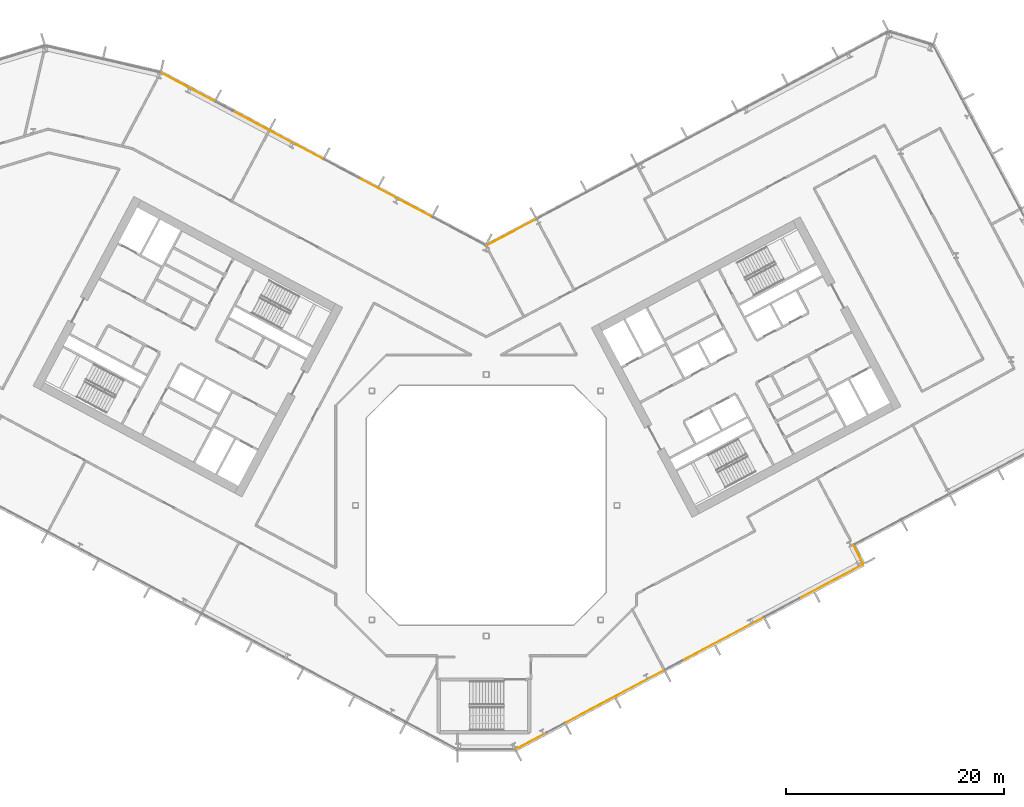
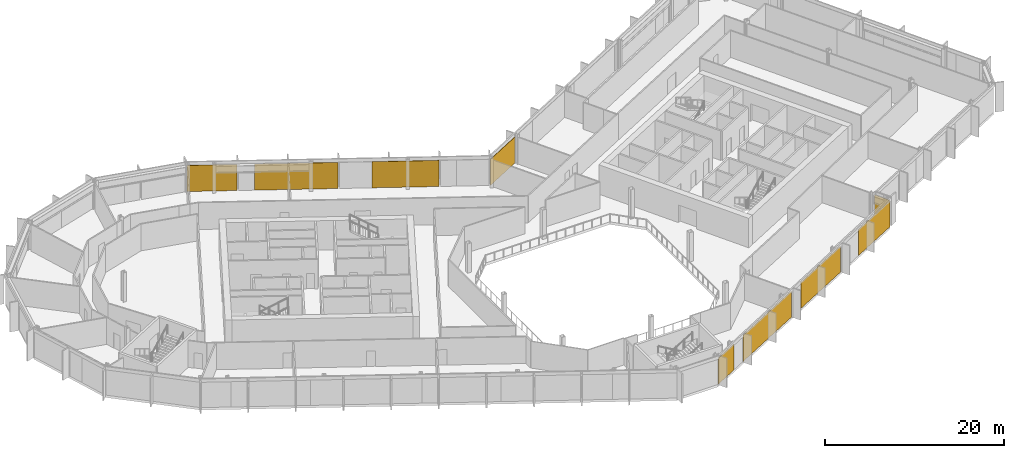
# One storey, part 24 of 28: 9 coverings, 4 elements without a shape of their own.
"""IFC4 building model written with IfcOpenShell, lengths in metres."""

import ifcopenshell
import ifcopenshell.guid

model = None  # the IFC model being written
_history = None  # IfcOwnerHistory: only IFC2X3 demands one
_inside = {}  # id of a spatial element -> (the spatial element, [elements in it])
_under = {}  # id of a project, library or spatial element -> (it, [spatial elements below it])
_declared = {}  # id of a project -> (the project, [libraries it declares])
_typed = {}  # id of a type object -> (the type object, [elements of that type])
_made_of = {}  # id of a material, layer set ... -> (it, [elements and type objects made of it])


def new_model(schema):
    """Start an empty IFC model of exactly this schema.

    Asked for "IFC4X3", IfcOpenShell would pick the latest addendum, in which some entities
    have other attributes; the version numbers below select the first issue.
    IFC2X3 requires an IfcOwnerHistory on every rooted entity: one is made here for all.
    """
    global model, _history
    if schema == "IFC4X3":
        model = ifcopenshell.file(schema_version=(4, 3, 0, 0))
    else:
        model = ifcopenshell.file(schema=schema)
    _inside.clear()
    _under.clear()
    _declared.clear()
    _typed.clear()
    _made_of.clear()
    _history = None
    if model.schema == "IFC2X3":
        org = make("IfcOrganization", Name="unknown")
        user = make(
            "IfcPersonAndOrganization",
            ThePerson=make("IfcPerson", FamilyName="unknown"),
            TheOrganization=org,
        )
        app = make(
            "IfcApplication",
            ApplicationDeveloper=org,
            Version="unknown",
            ApplicationFullName="unknown",
            ApplicationIdentifier="unknown",
        )
        _history = make(
            "IfcOwnerHistory",
            OwningUser=user,
            OwningApplication=app,
            ChangeAction="ADDED",
            CreationDate=0,
        )
    return model


def make(cls, **values):
    """One entity of the class cls with the attributes given. An attribute that is None is left unset."""
    return model.create_entity(
        cls, **{name: value for name, value in values.items() if value is not None}
    )


def rooted(cls, **values):
    """An entity with a GlobalId (a new one), such as an element, a storey or a relation."""
    return make(cls, GlobalId=ifcopenshell.guid.new(), OwnerHistory=_history, **values)


def si_unit(unit_type, name, prefix=None):
    """IfcSIUnit, for example si_unit("LENGTHUNIT", "METRE", prefix="MILLI")."""
    return make("IfcSIUnit", UnitType=unit_type, Prefix=prefix, Name=name)


def assignment(units):
    """IfcUnitAssignment: the units of a project."""
    return None if units is None else make("IfcUnitAssignment", Units=units)


def point(xyz):
    """IfcCartesianPoint."""
    return None if xyz is None else make("IfcCartesianPoint", Coordinates=xyz)


def direction(xyz):
    """IfcDirection."""
    return None if xyz is None else make("IfcDirection", DirectionRatios=xyz)


def frame(location, z_axis=None, x_axis=None):
    """IfcAxis2Placement3D, a coordinate frame: its origin and axes. An axis left out is left unset."""
    return make(
        "IfcAxis2Placement3D",
        Location=point(location),
        Axis=direction(z_axis),
        RefDirection=direction(x_axis),
    )


def frame_2d(location, x_axis=None):
    """IfcAxis2Placement2D, a coordinate frame in the plane: its origin and x axis."""
    return make(
        "IfcAxis2Placement2D", Location=point(location), RefDirection=direction(x_axis)
    )


def origin():
    """The frame at (0, 0, 0) with its axes left unset."""
    return frame((0.0, 0.0, 0.0))


def origin_2d():
    """The frame at (0, 0) in the plane with its x axis left unset."""
    return frame_2d((0.0, 0.0))


def place(relative_to, where):
    """IfcLocalPlacement: puts the frame where relative to a parent placement (None: the world)."""
    return make(
        "IfcLocalPlacement", PlacementRelTo=relative_to, RelativePlacement=where
    )


def context(
    kind, dimensions, precision=None, world=None, true_north=None, identifier=None
):
    """IfcGeometricRepresentationContext, for example the 3D "Model" context."""
    return make(
        "IfcGeometricRepresentationContext",
        ContextIdentifier=identifier,
        ContextType=kind,
        CoordinateSpaceDimension=dimensions,
        Precision=precision,
        WorldCoordinateSystem=world,
        TrueNorth=true_north,
    )


def subcontext(parent, identifier, kind, view, scale=None):
    """IfcGeometricRepresentationSubContext, for example "Body" below "Model"."""
    return make(
        "IfcGeometricRepresentationSubContext",
        ContextIdentifier=identifier,
        ContextType=kind,
        ParentContext=parent,
        TargetScale=scale,
        TargetView=view,
    )


def project(units=None, contexts=None):
    """IfcProject with its units and contexts."""
    return rooted(
        "IfcProject",
        Name="project",
        RepresentationContexts=contexts,
        UnitsInContext=assignment(units),
    )


def spatial(cls, under=None, at=None, **own):
    """A site, building, storey or space (cls), placed at a placement, below another one or the project."""
    s = rooted(cls, ObjectPlacement=at, **own)
    if under is not None:
        _under.setdefault(under.id(), (under, []))[1].append(s)
    return s


def profile(cls, at=None, kind="AREA", **sizes):
    """A parametric profile (cls). Its sizes go by their IFC names, for example OverallWidth=200.0."""
    return make(cls, ProfileType=kind, Position=at, **sizes)


def rectangle(**sizes):
    """IfcRectangleProfileDef."""
    return profile("IfcRectangleProfileDef", **sizes)


def extrude(swept, where, along, depth):
    """IfcExtrudedAreaSolid: the profile swept, set in the frame where, extruded along a direction by depth."""
    return make(
        "IfcExtrudedAreaSolid",
        SweptArea=swept,
        Position=where,
        ExtrudedDirection=direction(along),
        Depth=depth,
    )


def shape(context_of_items, identifier, shape_type, items):
    """IfcShapeRepresentation: the items that make up one representation, for example the "Body"."""
    return make(
        "IfcShapeRepresentation",
        ContextOfItems=context_of_items,
        RepresentationIdentifier=identifier,
        RepresentationType=shape_type,
        Items=items,
    )


def material(Name=None, Category=None):
    """IfcMaterial."""
    return make("IfcMaterial", Name=Name, Category=Category)


def layer(
    of_material, thickness, ventilated=None, Name=None, Category=None, Priority=None
):
    """IfcMaterialLayer: one layer of a wall or slab, of a material (None: an air gap)."""
    return make(
        "IfcMaterialLayer",
        Material=of_material,
        LayerThickness=thickness,
        IsVentilated=ventilated,
        Name=Name,
        Category=Category,
        Priority=Priority,
    )


def layer_set(layers, Name=None):
    """IfcMaterialLayerSet."""
    return make("IfcMaterialLayerSet", MaterialLayers=layers, LayerSetName=Name)


def made_of(thing, what):
    """Note that an element or type object is made of a material, layer set ...; save() writes the relation."""
    if what is not None:
        _made_of.setdefault(what.id(), (what, []))[1].append(thing)
    return thing


def type_object(cls, material=None, **own):
    """A type object (cls), such as IfcWallType, which elements share."""
    return made_of(rooted(cls, **own), material)


def element(
    cls,
    number,
    at=None,
    inside=None,
    cuts=None,
    type_object=None,
    material=None,
    context=None,
    identifier="Body",
    shape_type=None,
    held_by="IfcProductDefinitionShape",
    body=None,
    shapes=None,
    **own,
):
    """One element of the class cls, such as IfcWall. Its Tag is "e" and its number.

    at: its placement. inside: the storey or other place that contains it. cuts: it is an
    opening in that element (IfcRelVoidsElement). A single representation is given by context,
    identifier, shape_type and body (its items); several are given by shapes. held_by: the class
    of the entity that holds the representations. save() writes the other relations.
    """
    e = rooted(cls, Tag="e%d" % number, ObjectPlacement=at, **own)
    if body is not None:
        shapes = [shape(context, identifier, shape_type, body)]
    if shapes is not None:
        e.Representation = make(held_by, Representations=shapes)
    if inside is not None:
        _inside.setdefault(inside.id(), (inside, []))[1].append(e)
    if cuts is not None:
        rooted(
            "IfcRelVoidsElement", RelatingBuildingElement=cuts, RelatedOpeningElement=e
        )
    if type_object is not None:
        _typed.setdefault(type_object.id(), (type_object, []))[1].append(e)
    return made_of(e, material)


def aggregate(whole, parts):
    """IfcRelAggregates: a whole, such as a stair, and the parts it consists of."""
    return rooted("IfcRelAggregates", RelatingObject=whole, RelatedObjects=parts)


def save(model, path):
    """Write the relations noted so far, then the file.

    IfcRelAggregates (storeys below a building ...), IfcRelContainedInSpatialStructure (elements
    in a storey), IfcRelDefinesByType, IfcRelAssociatesMaterial and IfcRelDeclares: one each for
    every whole, place, type object, material and project.
    """
    for whole, parts in _under.values():
        aggregate(whole, parts)
    for where, things in _inside.values():
        rooted(
            "IfcRelContainedInSpatialStructure",
            RelatedElements=things,
            RelatingStructure=where,
        )
    for kind, things in _typed.values():
        rooted("IfcRelDefinesByType", RelatedObjects=things, RelatingType=kind)
    for what, things in _made_of.values():
        rooted("IfcRelAssociatesMaterial", RelatedObjects=things, RelatingMaterial=what)
    for by, libraries in _declared.values():
        rooted("IfcRelDeclares", RelatingContext=by, RelatedDefinitions=libraries)
    model.write(path)


model = new_model("IFC4")

# Units and contexts
model_context = context("Model", 3, precision=1e-05, world=origin(), true_north=direction((0.0, 1.0)))
body_context = subcontext(model_context, "Body", "Model", "MODEL_VIEW")
ifc_project = project(units=[si_unit("LENGTHUNIT", "METRE"), si_unit("AREAUNIT", "SQUARE_METRE"), si_unit("VOLUMEUNIT", "CUBIC_METRE"), si_unit("PLANEANGLEUNIT", "RADIAN"), si_unit("MASSUNIT", "GRAM", prefix="KILO")], contexts=[model_context])

# Site, building, storey
site_placement = place(None, origin())
site = spatial("IfcSite", under=ifc_project, at=site_placement, CompositionType="ELEMENT")
building_placement = place(site_placement, origin())
building = spatial("IfcBuilding", under=site, at=building_placement, Name="Cormorant Relay Tower", CompositionType="ELEMENT")
storey_placement = place(building_placement, frame((0.0, 0.0, 126.199951171875)))
storey = spatial("IfcBuildingStorey", under=building, at=storey_placement, Name="L25", CompositionType="ELEMENT", Elevation=126.199951171875)

# Curtain wall, coverings
ifc_material_1 = material(Name="Aluminium 6063-T6 anodised bronze", Category="aluminium")
ifc_layer_1 = layer(ifc_material_1, 0.199951171875)
ifc_layer_set_1 = layer_set([ifc_layer_1], Name="CW1 unitised bronze curtain wall with vertical fins")
curtain_wall_type = type_object("IfcCurtainWallType", Name="CW1 unitised bronze curtain wall with vertical fins", PredefinedType="NOTDEFINED", material=ifc_layer_set_1)
curtain_wall_1_placement = place(storey_placement, origin())
curtain_wall_1 = element("IfcCurtainWall", 1, at=curtain_wall_1_placement, inside=storey, type_object=curtain_wall_type, Name="CW1 curtain wall 2", PredefinedType="NOTDEFINED")
ifc_material_2 = material(Name="Pale bronze anodised aluminium insulated panel", Category="aluminium")
ifc_layer_2 = layer(ifc_material_2, 0.0400390625)
ifc_layer_set_2 = layer_set([ifc_layer_2], Name="CW1 pale bronze insulated panel 40")
covering_type = type_object("IfcCoveringType", Name="CW1 pale bronze insulated panel 40", PredefinedType="CLADDING", material=ifc_layer_set_2)
covering_1_placement = place(storey_placement, frame((4.14453125, -21.60302734375, 0.0), z_axis=(0.0, 0.0, 1.0), x_axis=(0.882947592859, 0.469471562786, 0.0)))
covering_1 = element("IfcCovering", 2, at=covering_1_placement, type_object=covering_type, Name="CW1 panel S00", PredefinedType="CLADDING", context=body_context, shape_type="SweptSolid", body=[
    extrude(rectangle(XDim=3.216552734375, YDim=0.0400390625, at=origin_2d()), origin(), (0.0, 0.0, 1.0), 3.550048828125),
])
covering_2_placement = place(storey_placement, frame((11.78173828125, -17.5419921875, 0.0), z_axis=(0.0, 0.0, 1.0), x_axis=(0.882947592859, 0.469471562786, 0.0)))
covering_2 = element("IfcCovering", 3, at=covering_2_placement, type_object=covering_type, Name="CW1 panel S02", PredefinedType="CLADDING", context=body_context, shape_type="SweptSolid", body=[
    extrude(rectangle(XDim=10.18310546875, YDim=0.0400390625, at=origin_2d()), origin(), (0.0, 0.0, 1.0), 3.550048828125),
])
covering_3_placement = place(storey_placement, frame((21.7001953125, -12.2685546875, 0.0), z_axis=(0.0, 0.0, 1.0), x_axis=(0.882947592859, 0.469471562786, 0.0)))
covering_3 = element("IfcCovering", 4, at=covering_3_placement, type_object=covering_type, Name="CW1 panel S04", PredefinedType="CLADDING", context=body_context, shape_type="SweptSolid", body=[
    extrude(rectangle(XDim=8.383056640625, YDim=0.0400390625, at=origin_2d()), origin(), (0.0, 0.0, 1.0), 3.550048828125),
])
covering_4_placement = place(storey_placement, frame((31.6513671875, -6.977294921875, 0.0), z_axis=(0.0, 0.0, 1.0), x_axis=(0.882947592859, 0.469471562786, 0.0)))
covering_4 = element("IfcCovering", 5, at=covering_4_placement, type_object=covering_type, Name="CW1 panel S06", PredefinedType="CLADDING", context=body_context, shape_type="SweptSolid", body=[
    extrude(rectangle(XDim=6.658203125, YDim=0.0400390625, at=origin_2d()), origin(), (0.0, 0.0, 1.0), 3.550048828125),
])
aggregate(curtain_wall_1, [covering_1, covering_2, covering_3, covering_4])

# Curtain wall, covering
curtain_wall_2_placement = place(storey_placement, origin())
curtain_wall_2 = element("IfcCurtainWall", 6, at=curtain_wall_2_placement, inside=storey, type_object=curtain_wall_type, Name="CW1 curtain wall 3", PredefinedType="NOTDEFINED")
covering_5_placement = place(storey_placement, frame((34.112060546875, -4.47119140625, 0.0), z_axis=(0.0, 0.0, 1.0), x_axis=(-0.469471562786, 0.882947592859, 0.0)))
covering_5 = element("IfcCovering", 7, at=covering_5_placement, type_object=covering_type, Name="CW1 panel S00", PredefinedType="CLADDING", context=body_context, shape_type="SweptSolid", body=[
    extrude(rectangle(XDim=1.925048828125, YDim=0.0400390625, at=origin_2d()), origin(), (0.0, 0.0, 1.0), 3.550048828125),
])
aggregate(curtain_wall_2, [covering_5])

curtain_wall_3_placement = place(storey_placement, origin())
curtain_wall_3 = element("IfcCurtainWall", 8, at=curtain_wall_3_placement, inside=storey, type_object=curtain_wall_type, Name="CW1 curtain wall 8", PredefinedType="NOTDEFINED")
covering_6_placement = place(storey_placement, frame((2.26611328125, 25.011474609375, 0.0), z_axis=(0.0, 0.0, 1.0), x_axis=(-0.882947592859, -0.469471562786, 0.0)))
covering_6 = element("IfcCovering", 9, at=covering_6_placement, type_object=covering_type, Name="CW1 panel S07", PredefinedType="CLADDING", context=body_context, shape_type="SweptSolid", body=[
    extrude(rectangle(XDim=5.154296875, YDim=0.0400390625, at=origin_2d()), origin(), (0.0, 0.0, 1.0), 3.550048828125),
])
aggregate(curtain_wall_3, [covering_6])

# Curtain wall, coverings
curtain_wall_4_placement = place(storey_placement, origin())
curtain_wall_4 = element("IfcCurtainWall", 10, at=curtain_wall_4_placement, inside=storey, type_object=curtain_wall_type, Name="CW1 curtain wall 9", PredefinedType="NOTDEFINED")
covering_7_placement = place(storey_placement, frame((-8.359130859375, 28.251220703125, 0.0), z_axis=(0.0, 0.0, 1.0), x_axis=(-0.882947592859, 0.469471562786, 0.0)))
covering_7 = element("IfcCovering", 11, at=covering_7_placement, type_object=covering_type, Name="CW1 panel S02", PredefinedType="CLADDING", context=body_context, shape_type="SweptSolid", body=[
    extrude(rectangle(XDim=7.528076171875, YDim=0.0400390625, at=origin_2d()), origin(), (0.0, 0.0, 1.0), 3.550048828125),
])
covering_8_placement = place(storey_placement, frame((-19.11181640625, 33.968505859375, 0.0), z_axis=(0.0, 0.0, 1.0), x_axis=(-0.882947592859, 0.469471562786, 0.0)))
covering_8 = element("IfcCovering", 12, at=covering_8_placement, type_object=covering_type, Name="CW1 panel S04", PredefinedType="CLADDING", context=body_context, shape_type="SweptSolid", body=[
    extrude(rectangle(XDim=9.327880859375, YDim=0.0400390625, at=origin_2d()), origin(), (0.0, 0.0, 1.0), 3.550048828125),
])
covering_9_placement = place(storey_placement, frame((-27.407958984375, 38.379638671875, 0.0), z_axis=(0.0, 0.0, 1.0), x_axis=(-0.882947592859, 0.469471562786, 0.0)))
covering_9 = element("IfcCovering", 13, at=covering_9_placement, type_object=covering_type, Name="CW1 panel S06", PredefinedType="CLADDING", context=body_context, shape_type="SweptSolid", body=[
    extrude(rectangle(XDim=5.56396484375, YDim=0.0400390625, at=origin_2d()), origin(), (0.0, 0.0, 1.0), 3.550048828125),
])
aggregate(curtain_wall_4, [covering_7, covering_8, covering_9])

save(model, "model.ifc")
